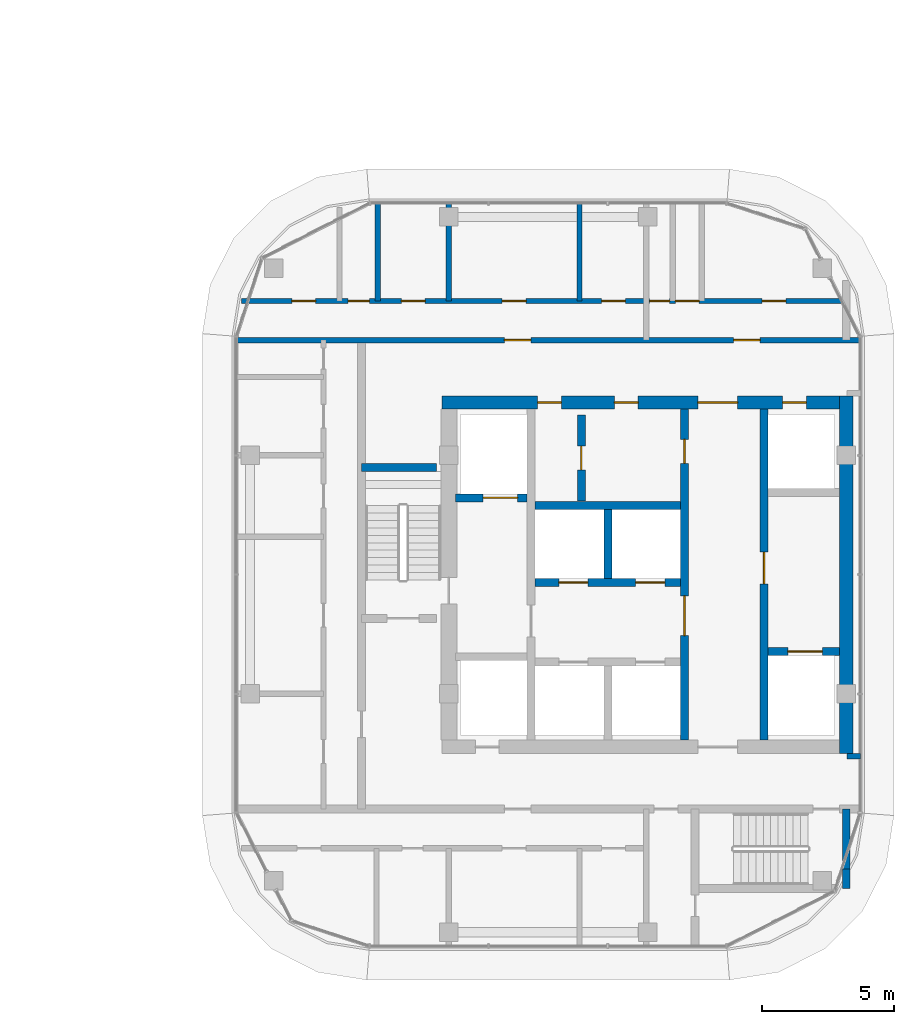
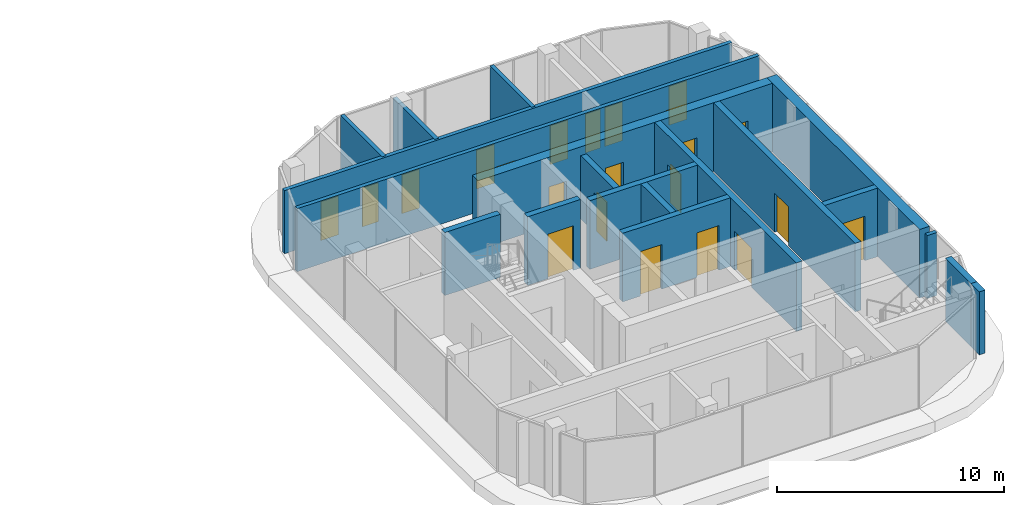
# One storey, part 21 of 33: 22 doors, 19 walls, 22 openings.
"""IFC4 building model written with IfcOpenShell, lengths in metres."""

from ifc_helpers import new_model, si_unit, direction, frame, frame_2d, origin, place, context, subcontext, project, spatial, rectangle, extrude, material, layer, layer_set, type_object, element, fill, save


model = new_model("IFC4")

# Units and contexts
model_context = context("Model", 3, precision=1e-05, world=origin(), true_north=direction((0.0, 1.0)))
body_context = subcontext(model_context, "Body", "Model", "MODEL_VIEW")
ifc_project = project(units=[si_unit("LENGTHUNIT", "METRE"), si_unit("AREAUNIT", "SQUARE_METRE"), si_unit("VOLUMEUNIT", "CUBIC_METRE"), si_unit("PLANEANGLEUNIT", "RADIAN"), si_unit("MASSUNIT", "GRAM", prefix="KILO")], contexts=[model_context])

# Site, building, storey
site_placement = place(None, origin())
site = spatial("IfcSite", under=ifc_project, at=site_placement, CompositionType="ELEMENT")
building_placement = place(site_placement, origin())
building = spatial("IfcBuilding", under=site, at=building_placement, Name="Ogive Portal Towers", CompositionType="ELEMENT")
storey_placement = place(building_placement, frame((0.0, 0.0, 98.199951171875)))
storey = spatial("IfcBuildingStorey", under=building, at=storey_placement, Name="L23", CompositionType="ELEMENT", Elevation=98.199951171875)

# Wall, openings, doors
ifc_material_1 = material(Name="Concrete C60/75", Category="concrete")
ifc_layer_1 = layer(ifc_material_1, 0.300048828125)
ifc_layer_set_1 = layer_set([ifc_layer_1], Name="CORE WALL 300 C60")
wall_type_1 = type_object("IfcWallType", Name="CORE WALL 300 C60", PredefinedType="SHEAR", material=ifc_layer_set_1)
wall_1_placement = place(storey_placement, frame((137.89990234375, 24.75, 0.0), z_axis=(0.0, 0.0, 1.0), x_axis=(0.0, 1.0, 0.0)))
wall_1 = element("IfcWall", 1, at=wall_1_placement, inside=storey, type_object=wall_type_1, Name="Tower B core wall BX2 L23", PredefinedType="SHEAR", context=body_context, shape_type="SweptSolid", body=[
    extrude(rectangle(XDim=12.5, YDim=0.300048828125, at=frame_2d((6.25, 0.0))), origin(), (0.0, 0.0, 1.0), 3.699951171875),
])
opening_1_placement = place(wall_1_placement, frame((3.949951171875, 0.0, 0.0)))
opening_1 = element("IfcOpeningElement", 2, at=opening_1_placement, cuts=wall_1, Name="Opening B09-027", PredefinedType="OPENING", context=body_context, shape_type="SweptSolid", body=[
    extrude(rectangle(XDim=1.5, YDim=2.10009765625, at=frame_2d((0.75, 1.050048828125))), frame((0.0, 0.16015625, 0.0), z_axis=(0.0, -1.0, 0.0), x_axis=(1.0, 0.0, 0.0)), (0.0, 0.0, 1.0), 0.320068359375),
])
opening_2_placement = place(wall_1_placement, frame((10.449951171875, 0.0, 0.0)))
opening_2 = element("IfcOpeningElement", 3, at=opening_2_placement, cuts=wall_1, Name="Opening B09-043", PredefinedType="OPENING", context=body_context, shape_type="SweptSolid", body=[
    extrude(rectangle(XDim=0.89990234375, YDim=2.10009765625, at=frame_2d((0.449951171875, 1.050048828125))), frame((0.0, 0.16015625, 0.0), z_axis=(0.0, -1.0, 0.0), x_axis=(1.0, 0.0, 0.0)), (0.0, 0.0, 1.0), 0.320068359375),
])
ifc_material_2 = material(Name="Steel fire door", Category="steel")
door_type_1 = type_object("IfcDoorType", Name="DT-SWING-1500x2100-FD90S", OperationType="SINGLE_SWING_LEFT", PredefinedType="DOOR", material=ifc_material_2)
door_1_placement = place(opening_1_placement, origin())
door_1 = element("IfcDoor", 4, at=door_1_placement, inside=storey, type_object=door_type_1, Name="Door B09-027", OperationType="SINGLE_SWING_RIGHT", OverallHeight=2.10009765625, OverallWidth=1.5, PredefinedType="DOOR", context=body_context, shape_type="SweptSolid", body=[
    extrude(rectangle(XDim=1.5, YDim=2.10009765625, at=frame_2d((0.75, 1.050048828125))), frame((0.0, 0.02490234375, 0.0), z_axis=(0.0, -1.0, 0.0), x_axis=(1.0, 0.0, 0.0)), (0.0, 0.0, 1.0), 0.050048828125),
])
fill(opening_1, door_1)
door_type_2 = type_object("IfcDoorType", Name="DT-SWING-900x2100-FD90S", OperationType="SINGLE_SWING_LEFT", PredefinedType="DOOR", material=ifc_material_2)
door_2_placement = place(opening_2_placement, origin())
door_2 = element("IfcDoor", 5, at=door_2_placement, inside=storey, type_object=door_type_2, Name="Riser access door B09-043", OperationType="SINGLE_SWING_RIGHT", OverallHeight=2.10009765625, OverallWidth=0.89990234375, PredefinedType="DOOR", context=body_context, shape_type="SweptSolid", body=[
    extrude(rectangle(XDim=0.89990234375, YDim=2.10009765625, at=frame_2d((0.449951171875, 1.050048828125))), frame((0.0, 0.02490234375, 0.0), z_axis=(0.0, -1.0, 0.0), x_axis=(1.0, 0.0, 0.0)), (0.0, 0.0, 1.0), 0.050048828125),
])
fill(opening_2, door_2)

# Wall, opening, door
wall_2_placement = place(storey_placement, frame((140.89990234375, 24.75, 0.0), z_axis=(0.0, 0.0, 1.0), x_axis=(0.0, 1.0, 0.0)))
wall_2 = element("IfcWall", 6, at=wall_2_placement, inside=storey, type_object=wall_type_1, Name="Tower B core wall BX3 L23", PredefinedType="SHEAR", context=body_context, shape_type="SweptSolid", body=[
    extrude(rectangle(XDim=12.5, YDim=0.300048828125, at=frame_2d((6.25, 0.0))), origin(), (0.0, 0.0, 1.0), 3.699951171875),
])
opening_3_placement = place(wall_2_placement, frame((5.89990234375, 0.0, 0.0)))
opening_3 = element("IfcOpeningElement", 7, at=opening_3_placement, cuts=wall_2, Name="Opening B09-029", PredefinedType="OPENING", context=body_context, shape_type="SweptSolid", body=[
    extrude(rectangle(XDim=1.199951171875, YDim=2.10009765625, at=frame_2d((0.60009765625, 1.050048828125))), frame((0.0, 0.16015625, 0.0), z_axis=(0.0, -1.0, 0.0), x_axis=(1.0, 0.0, 0.0)), (0.0, 0.0, 1.0), 0.320068359375),
])
door_type_3 = type_object("IfcDoorType", Name="DT-SWING-1200x2100-FD90S", OperationType="SINGLE_SWING_LEFT", PredefinedType="DOOR", material=ifc_material_2)
door_3_placement = place(opening_3_placement, origin())
door_3 = element("IfcDoor", 8, at=door_3_placement, inside=storey, type_object=door_type_3, Name="Door B09-029", OperationType="SINGLE_SWING_RIGHT", OverallHeight=2.10009765625, OverallWidth=1.199951171875, PredefinedType="DOOR", context=body_context, shape_type="SweptSolid", body=[
    extrude(rectangle(XDim=1.199951171875, YDim=2.10009765625, at=frame_2d((0.60009765625, 1.050048828125))), frame((0.0, 0.02490234375, 0.0), z_axis=(0.0, -1.0, 0.0), x_axis=(1.0, 0.0, 0.0)), (0.0, 0.0, 1.0), 0.050048828125),
])
fill(opening_3, door_3)

# Wall
wall_3_placement = place(storey_placement, frame((135.0, 30.85009765625, 0.0), z_axis=(0.0, 0.0, 1.0), x_axis=(0.0, 1.0, 0.0)))
element("IfcWall", 9, at=wall_3_placement, inside=storey, type_object=wall_type_1, Name="Tower B core wall BX5 L23", PredefinedType="SHEAR", context=body_context, shape_type="SweptSolid", body=[
    extrude(rectangle(XDim=2.599853515625, YDim=0.300048828125, at=frame_2d((1.2998046875, 0.0))), origin(), (0.0, 0.0, 1.0), 3.699951171875),
])

# Wall, openings, doors
wall_4_placement = place(storey_placement, frame((132.25, 30.699951171875, 0.0), z_axis=(0.0, 0.0, 1.0), x_axis=(1.0, 0.0, 0.0)))
wall_4 = element("IfcWall", 10, at=wall_4_placement, inside=storey, type_object=wall_type_1, Name="Tower B core wall BY2 L23", PredefinedType="SHEAR", context=body_context, shape_type="SweptSolid", body=[
    extrude(rectangle(XDim=5.5, YDim=0.300048828125, at=frame_2d((2.75, 0.0))), origin(), (0.0, 0.0, 1.0), 3.699951171875),
])
opening_4_placement = place(wall_4_placement, frame((0.89990234375, 0.0, 0.0)))
opening_4 = element("IfcOpeningElement", 11, at=opening_4_placement, cuts=wall_4, Name="Opening B09-037", PredefinedType="OPENING", context=body_context, shape_type="SweptSolid", body=[
    extrude(rectangle(XDim=1.10009765625, YDim=2.39990234375, at=frame_2d((0.550048828125, 1.199951171875))), frame((0.0, 0.16015625, 0.0), z_axis=(0.0, -1.0, 0.0), x_axis=(1.0, 0.0, 0.0)), (0.0, 0.0, 1.0), 0.320068359375),
])
opening_5_placement = place(wall_4_placement, frame((3.800048828125, 0.0, 0.0)))
opening_5 = element("IfcOpeningElement", 12, at=opening_5_placement, cuts=wall_4, Name="Opening B09-038", PredefinedType="OPENING", context=body_context, shape_type="SweptSolid", body=[
    extrude(rectangle(XDim=1.10009765625, YDim=2.39990234375, at=frame_2d((0.550048828125, 1.199951171875))), frame((0.0, 0.16015625, 0.0), z_axis=(0.0, -1.0, 0.0), x_axis=(1.0, 0.0, 0.0)), (0.0, 0.0, 1.0), 0.320068359375),
])
ifc_material_3 = material(Name="Stainless steel", Category="steel")
door_type_4 = type_object("IfcDoorType", Name="DT-LD-1100x2400", OperationType="SLIDING_TO_LEFT", PredefinedType="DOOR", material=ifc_material_3)
door_4_placement = place(opening_4_placement, origin())
door_4 = element("IfcDoor", 13, at=door_4_placement, inside=storey, type_object=door_type_4, Name="Door B09-037", OperationType="SLIDING_TO_LEFT", OverallHeight=2.39990234375, OverallWidth=1.10009765625, PredefinedType="DOOR", context=body_context, shape_type="SweptSolid", body=[
    extrude(rectangle(XDim=1.10009765625, YDim=2.39990234375, at=frame_2d((0.550048828125, 1.199951171875))), frame((0.0, 0.02490234375, 0.0), z_axis=(0.0, -1.0, 0.0), x_axis=(1.0, 0.0, 0.0)), (0.0, 0.0, 1.0), 0.050048828125),
])
fill(opening_4, door_4)
door_5_placement = place(opening_5_placement, origin())
door_5 = element("IfcDoor", 14, at=door_5_placement, inside=storey, type_object=door_type_4, Name="Door B09-038", OperationType="SLIDING_TO_LEFT", OverallHeight=2.39990234375, OverallWidth=1.10009765625, PredefinedType="DOOR", context=body_context, shape_type="SweptSolid", body=[
    extrude(rectangle(XDim=1.10009765625, YDim=2.39990234375, at=frame_2d((0.550048828125, 1.199951171875))), frame((0.0, 0.02490234375, 0.0), z_axis=(0.0, -1.0, 0.0), x_axis=(1.0, 0.0, 0.0)), (0.0, 0.0, 1.0), 0.050048828125),
])
fill(opening_5, door_5)

# Wall
wall_5_placement = place(storey_placement, frame((132.25, 33.60009765625, 0.0), z_axis=(0.0, 0.0, 1.0), x_axis=(1.0, 0.0, 0.0)))
element("IfcWall", 15, at=wall_5_placement, inside=storey, type_object=wall_type_1, Name="Tower B core wall BY3 L23", PredefinedType="SHEAR", context=body_context, shape_type="SweptSolid", body=[
    extrude(rectangle(XDim=5.5, YDim=0.300048828125, at=frame_2d((2.75, 0.0))), origin(), (0.0, 0.0, 1.0), 3.699951171875),
])

# Wall, opening, door
wall_6_placement = place(storey_placement, frame((129.25, 33.89990234375, 0.0), z_axis=(0.0, 0.0, 1.0), x_axis=(1.0, 0.0, 0.0)))
wall_6 = element("IfcWall", 16, at=wall_6_placement, inside=storey, type_object=wall_type_1, Name="Tower B core wall BY5 L23", PredefinedType="SHEAR", context=body_context, shape_type="SweptSolid", body=[
    extrude(rectangle(XDim=2.699951171875, YDim=0.300048828125, at=frame_2d((1.35009765625, 0.0))), origin(), (0.0, 0.0, 1.0), 3.699951171875),
])
opening_6_placement = place(wall_6_placement, frame((1.050048828125, 0.0, 0.0)))
opening_6 = element("IfcOpeningElement", 17, at=opening_6_placement, cuts=wall_6, Name="Opening B09-039", PredefinedType="OPENING", context=body_context, shape_type="SweptSolid", body=[
    extrude(rectangle(XDim=1.300048828125, YDim=2.39990234375, at=frame_2d((0.64990234375, 1.199951171875))), frame((0.0, 0.16015625, 0.0), z_axis=(0.0, -1.0, 0.0), x_axis=(1.0, 0.0, 0.0)), (0.0, 0.0, 1.0), 0.320068359375),
])
door_type_5 = type_object("IfcDoorType", Name="DT-LD-1300x2400", OperationType="SLIDING_TO_LEFT", PredefinedType="DOOR", material=ifc_material_3)
door_6_placement = place(opening_6_placement, origin())
door_6 = element("IfcDoor", 18, at=door_6_placement, inside=storey, type_object=door_type_5, Name="Door B09-039", OperationType="SLIDING_TO_LEFT", OverallHeight=2.39990234375, OverallWidth=1.300048828125, PredefinedType="DOOR", context=body_context, shape_type="SweptSolid", body=[
    extrude(rectangle(XDim=1.300048828125, YDim=2.39990234375, at=frame_2d((0.64990234375, 1.199951171875))), frame((0.0, 0.02490234375, 0.0), z_axis=(0.0, -1.0, 0.0), x_axis=(1.0, 0.0, 0.0)), (0.0, 0.0, 1.0), 0.050048828125),
])
fill(opening_6, door_6)

wall_7_placement = place(storey_placement, frame((141.050048828125, 28.10009765625, 0.0), z_axis=(0.0, 0.0, 1.0), x_axis=(1.0, 0.0, 0.0)))
wall_7 = element("IfcWall", 19, at=wall_7_placement, inside=storey, type_object=wall_type_1, Name="Tower B core wall BY6 L23", PredefinedType="SHEAR", context=body_context, shape_type="SweptSolid", body=[
    extrude(rectangle(XDim=2.699951171875, YDim=0.300048828125, at=frame_2d((1.35009765625, 0.0))), origin(), (0.0, 0.0, 1.0), 3.699951171875),
])
opening_7_placement = place(wall_7_placement, frame((0.75, 0.0, 0.0)))
opening_7 = element("IfcOpeningElement", 20, at=opening_7_placement, cuts=wall_7, Name="Opening B09-040", PredefinedType="OPENING", context=body_context, shape_type="SweptSolid", body=[
    extrude(rectangle(XDim=1.300048828125, YDim=2.39990234375, at=frame_2d((0.64990234375, 1.199951171875))), frame((0.0, 0.16015625, 0.0), z_axis=(0.0, -1.0, 0.0), x_axis=(1.0, 0.0, 0.0)), (0.0, 0.0, 1.0), 0.320068359375),
])
door_7_placement = place(opening_7_placement, origin())
door_7 = element("IfcDoor", 21, at=door_7_placement, inside=storey, type_object=door_type_5, Name="Door B09-040", OperationType="SLIDING_TO_LEFT", OverallHeight=2.39990234375, OverallWidth=1.300048828125, PredefinedType="DOOR", context=body_context, shape_type="SweptSolid", body=[
    extrude(rectangle(XDim=1.300048828125, YDim=2.39990234375, at=frame_2d((0.64990234375, 1.199951171875))), frame((0.0, 0.02490234375, 0.0), z_axis=(0.0, -1.0, 0.0), x_axis=(1.0, 0.0, 0.0)), (0.0, 0.0, 1.0), 0.050048828125),
])
fill(opening_7, door_7)

# Wall
ifc_layer_2 = layer(ifc_material_1, 0.5)
ifc_layer_set_2 = layer_set([ifc_layer_2], Name="CORE WALL 500 C60")
wall_type_2 = type_object("IfcWallType", Name="CORE WALL 500 C60", PredefinedType="SHEAR", material=ifc_layer_set_2)
wall_8_placement = place(storey_placement, frame((144.0, 24.25, 0.0), z_axis=(0.0, 0.0, 1.0), x_axis=(0.0, 1.0, 0.0)))
element("IfcWall", 22, at=wall_8_placement, inside=storey, type_object=wall_type_2, Name="Tower B core wall BE L23", PredefinedType="SHEAR", context=body_context, shape_type="SweptSolid", body=[
    extrude(rectangle(XDim=13.5, YDim=0.5, at=frame_2d((6.75, 0.0))), origin(), (0.0, 0.0, 1.0), 3.699951171875),
])

# Wall, openings, doors
wall_9_placement = place(storey_placement, frame((128.75, 37.5, 0.0), z_axis=(0.0, 0.0, 1.0), x_axis=(1.0, 0.0, 0.0)))
wall_9 = element("IfcWall", 23, at=wall_9_placement, inside=storey, type_object=wall_type_2, Name="Tower B core wall BN L23", PredefinedType="SHEAR", context=body_context, shape_type="SweptSolid", body=[
    extrude(rectangle(XDim=15.0, YDim=0.5, at=frame_2d((7.5, 0.0))), origin(), (0.0, 0.0, 1.0), 3.699951171875),
])
opening_8_placement = place(wall_9_placement, frame((9.64990234375, 0.0, 0.0)))
opening_8 = element("IfcOpeningElement", 24, at=opening_8_placement, cuts=wall_9, Name="Opening B09-032", PredefinedType="OPENING", context=body_context, shape_type="SweptSolid", body=[
    extrude(rectangle(XDim=1.5, YDim=2.10009765625, at=frame_2d((0.75, 1.050048828125))), frame((0.0, 0.260009765625, 0.0), z_axis=(0.0, -1.0, 0.0), x_axis=(1.0, 0.0, 0.0)), (0.0, 0.0, 1.0), 0.52001953125),
])
opening_9_placement = place(wall_9_placement, frame((12.85009765625, 0.0, 0.0)))
opening_9 = element("IfcOpeningElement", 25, at=opening_9_placement, cuts=wall_9, Name="Opening B09-034", PredefinedType="OPENING", context=body_context, shape_type="SweptSolid", body=[
    extrude(rectangle(XDim=0.89990234375, YDim=2.10009765625, at=frame_2d((0.449951171875, 1.050048828125))), frame((0.0, 0.260009765625, 0.0), z_axis=(0.0, -1.0, 0.0), x_axis=(1.0, 0.0, 0.0)), (0.0, 0.0, 1.0), 0.52001953125),
])
opening_10_placement = place(wall_9_placement, frame((3.60009765625, 0.0, 0.0)))
opening_10 = element("IfcOpeningElement", 26, at=opening_10_placement, cuts=wall_9, Name="Opening B09-041", PredefinedType="OPENING", context=body_context, shape_type="SweptSolid", body=[
    extrude(rectangle(XDim=0.89990234375, YDim=2.10009765625, at=frame_2d((0.449951171875, 1.050048828125))), frame((0.0, 0.260009765625, 0.0), z_axis=(0.0, -1.0, 0.0), x_axis=(1.0, 0.0, 0.0)), (0.0, 0.0, 1.0), 0.52001953125),
])
opening_11_placement = place(wall_9_placement, frame((6.5, 0.0, 0.0)))
opening_11 = element("IfcOpeningElement", 27, at=opening_11_placement, cuts=wall_9, Name="Opening B09-042", PredefinedType="OPENING", context=body_context, shape_type="SweptSolid", body=[
    extrude(rectangle(XDim=0.89990234375, YDim=2.10009765625, at=frame_2d((0.449951171875, 1.050048828125))), frame((0.0, 0.260009765625, 0.0), z_axis=(0.0, -1.0, 0.0), x_axis=(1.0, 0.0, 0.0)), (0.0, 0.0, 1.0), 0.52001953125),
])
door_8_placement = place(opening_8_placement, origin())
door_8 = element("IfcDoor", 28, at=door_8_placement, inside=storey, type_object=door_type_1, Name="Door B09-032", OperationType="SINGLE_SWING_RIGHT", OverallHeight=2.10009765625, OverallWidth=1.5, PredefinedType="DOOR", context=body_context, shape_type="SweptSolid", body=[
    extrude(rectangle(XDim=1.5, YDim=2.10009765625, at=frame_2d((0.75, 1.050048828125))), frame((0.0, 0.02490234375, 0.0), z_axis=(0.0, -1.0, 0.0), x_axis=(1.0, 0.0, 0.0)), (0.0, 0.0, 1.0), 0.050048828125),
])
fill(opening_8, door_8)
door_9_placement = place(opening_9_placement, origin())
door_9 = element("IfcDoor", 29, at=door_9_placement, inside=storey, type_object=door_type_2, Name="Riser access door B09-034", OperationType="SINGLE_SWING_RIGHT", OverallHeight=2.10009765625, OverallWidth=0.89990234375, PredefinedType="DOOR", context=body_context, shape_type="SweptSolid", body=[
    extrude(rectangle(XDim=0.89990234375, YDim=2.10009765625, at=frame_2d((0.449951171875, 1.050048828125))), frame((0.0, 0.02490234375, 0.0), z_axis=(0.0, -1.0, 0.0), x_axis=(1.0, 0.0, 0.0)), (0.0, 0.0, 1.0), 0.050048828125),
])
fill(opening_9, door_9)
door_10_placement = place(opening_10_placement, origin())
door_10 = element("IfcDoor", 30, at=door_10_placement, inside=storey, type_object=door_type_2, Name="Door B09-041", OperationType="SINGLE_SWING_LEFT", OverallHeight=2.10009765625, OverallWidth=0.89990234375, PredefinedType="DOOR", context=body_context, shape_type="SweptSolid", body=[
    extrude(rectangle(XDim=0.89990234375, YDim=2.10009765625, at=frame_2d((0.449951171875, 1.050048828125))), frame((0.0, 0.02490234375, 0.0), z_axis=(0.0, -1.0, 0.0), x_axis=(1.0, 0.0, 0.0)), (0.0, 0.0, 1.0), 0.050048828125),
])
fill(opening_10, door_10)
door_11_placement = place(opening_11_placement, origin())
door_11 = element("IfcDoor", 31, at=door_11_placement, inside=storey, type_object=door_type_2, Name="Riser access door B09-042", OperationType="SINGLE_SWING_RIGHT", OverallHeight=2.10009765625, OverallWidth=0.89990234375, PredefinedType="DOOR", context=body_context, shape_type="SweptSolid", body=[
    extrude(rectangle(XDim=0.89990234375, YDim=2.10009765625, at=frame_2d((0.449951171875, 1.050048828125))), frame((0.0, 0.02490234375, 0.0), z_axis=(0.0, -1.0, 0.0), x_axis=(1.0, 0.0, 0.0)), (0.0, 0.0, 1.0), 0.050048828125),
])
fill(opening_11, door_11)

# Walls
ifc_material_4 = material(Name="Concrete C50/60", Category="concrete")
ifc_layer_3 = layer(ifc_material_4, 0.300048828125)
ifc_layer_set_3 = layer_set([ifc_layer_3], Name="STAIR WALL 300 C50")
wall_type_3 = type_object("IfcWallType", Name="STAIR WALL 300 C50", PredefinedType="SHEAR", material=ifc_layer_set_3)
wall_10_placement = place(storey_placement, frame((125.699951171875, 35.050048828125, 0.0), z_axis=(0.0, 0.0, 1.0), x_axis=(1.0, 0.0, 0.0)))
element("IfcWall", 32, at=wall_10_placement, inside=storey, type_object=wall_type_3, Name="Stair wall ST-B1 L23", PredefinedType="SHEAR", context=body_context, shape_type="SweptSolid", body=[
    extrude(rectangle(XDim=2.830078125, YDim=0.300048828125, at=frame_2d((1.4150390625, 0.0))), origin(), (0.0, 0.0, 1.0), 3.400146484375),
])
wall_11_placement = place(storey_placement, frame((144.0, 19.14990234375, 0.0), z_axis=(0.0, 0.0, 1.0), x_axis=(0.0, 1.0, 0.0)))
element("IfcWall", 33, at=wall_11_placement, inside=storey, type_object=wall_type_3, Name="Stair wall ST-B2 L23", PredefinedType="SHEAR", context=body_context, shape_type="SweptSolid", body=[
    extrude(rectangle(XDim=0.7412109375, YDim=0.300048828125, at=frame_2d((0.37060546875, 0.0))), origin(), (0.0, 0.0, 1.0), 3.400146484375),
])
wall_12_placement = place(storey_placement, frame((144.0, 19.89111328125, 0.0), z_axis=(0.0, 0.0, 1.0), x_axis=(0.0, 1.0, 0.0)))
element("IfcWall", 34, at=wall_12_placement, inside=storey, type_object=wall_type_3, Name="Stair wall ST-B2 L23", PredefinedType="SHEAR", context=body_context, shape_type="SweptSolid", body=[
    extrude(rectangle(XDim=2.2587890625, YDim=0.300048828125, at=frame_2d((1.12939453125, 0.0))), origin(), (0.0, 0.0, 1.0), 3.400146484375),
])
ifc_material_5 = material(Name="Gypsum board partition on steel studs", Category="steel")
ifc_layer_4 = layer(ifc_material_5, 0.199951171875)
ifc_layer_set_4 = layer_set([ifc_layer_4], Name="WT-PART-200-EI 60")
wall_type_4 = type_object("IfcWallType", Name="WT-PART-200-EI 60", PredefinedType="PARTITIONING", material=ifc_layer_set_4)
wall_13_placement = place(storey_placement, frame((144.02001953125, 24.14990234375, 0.0), z_axis=(0.0, 0.0, 1.0), x_axis=(1.0, 0.0, 0.0)))
element("IfcWall", 35, at=wall_13_placement, inside=storey, type_object=wall_type_4, Name="Wall L23:w005", PredefinedType="PARTITIONING", context=body_context, shape_type="SweptSolid", body=[
    extrude(rectangle(XDim=0.510009765625, YDim=0.199951171875, at=frame_2d((0.2548828125, 0.0))), origin(), (0.0, 0.0, 1.0), 3.400146484375),
])

# Wall, openings, doors
wall_14_placement = place(storey_placement, frame((120.969970703125, 39.85009765625, 0.0), z_axis=(0.0, 0.0, 1.0), x_axis=(1.0, 0.0, 0.0)))
wall_14 = element("IfcWall", 36, at=wall_14_placement, inside=storey, type_object=wall_type_4, Name="Wall L23:w014", PredefinedType="PARTITIONING", context=body_context, shape_type="SweptSolid", body=[
    extrude(rectangle(XDim=23.56005859375, YDim=0.199951171875, at=frame_2d((11.780029296875, 0.0))), origin(), (0.0, 0.0, 1.0), 3.400146484375),
])
opening_12_placement = place(wall_14_placement, frame((10.1298828125, 0.0, 0.0)))
opening_12 = element("IfcOpeningElement", 37, at=opening_12_placement, cuts=wall_14, Name="Opening B09-004", PredefinedType="OPENING", context=body_context, shape_type="SweptSolid", body=[
    extrude(rectangle(XDim=1.0, YDim=2.10009765625, at=frame_2d((0.5, 1.050048828125))), frame((0.0, 0.10986328125, 0.0), z_axis=(0.0, -1.0, 0.0), x_axis=(1.0, 0.0, 0.0)), (0.0, 0.0, 1.0), 0.219970703125),
])
opening_13_placement = place(wall_14_placement, frame((18.780029296875, 0.0, 0.0)))
opening_13 = element("IfcOpeningElement", 38, at=opening_13_placement, cuts=wall_14, Name="Opening B09-010", PredefinedType="OPENING", context=body_context, shape_type="SweptSolid", body=[
    extrude(rectangle(XDim=1.0, YDim=2.10009765625, at=frame_2d((0.5, 1.050048828125))), frame((0.0, 0.10986328125, 0.0), z_axis=(0.0, -1.0, 0.0), x_axis=(1.0, 0.0, 0.0)), (0.0, 0.0, 1.0), 0.219970703125),
])
door_type_6 = type_object("IfcDoorType", Name="DT-SWING-1000x2100-FD60S", OperationType="SINGLE_SWING_LEFT", PredefinedType="DOOR", material=ifc_material_2)
door_12_placement = place(opening_12_placement, origin())
door_12 = element("IfcDoor", 39, at=door_12_placement, inside=storey, type_object=door_type_6, Name="Door B09-004", OperationType="SINGLE_SWING_RIGHT", OverallHeight=2.10009765625, OverallWidth=1.0, PredefinedType="DOOR", context=body_context, shape_type="SweptSolid", body=[
    extrude(rectangle(XDim=1.0, YDim=2.10009765625, at=frame_2d((0.5, 1.050048828125))), frame((0.0, 0.02490234375, 0.0), z_axis=(0.0, -1.0, 0.0), x_axis=(1.0, 0.0, 0.0)), (0.0, 0.0, 1.0), 0.050048828125),
])
fill(opening_12, door_12)
door_13_placement = place(opening_13_placement, origin())
door_13 = element("IfcDoor", 40, at=door_13_placement, inside=storey, type_object=door_type_6, Name="Door B09-010", OperationType="SINGLE_SWING_RIGHT", OverallHeight=2.10009765625, OverallWidth=1.0, PredefinedType="DOOR", context=body_context, shape_type="SweptSolid", body=[
    extrude(rectangle(XDim=1.0, YDim=2.10009765625, at=frame_2d((0.5, 1.050048828125))), frame((0.0, 0.02490234375, 0.0), z_axis=(0.0, -1.0, 0.0), x_axis=(1.0, 0.0, 0.0)), (0.0, 0.0, 1.0), 0.050048828125),
])
fill(opening_13, door_13)

wall_15_placement = place(storey_placement, frame((121.181884765625, 41.330078125, 0.0), z_axis=(0.0, 0.0, 1.0), x_axis=(1.0, 0.0, 0.0)))
wall_15 = element("IfcWall", 41, at=wall_15_placement, inside=storey, type_object=wall_type_4, Name="Wall L23:w015", PredefinedType="PARTITIONING", context=body_context, shape_type="SweptSolid", body=[
    extrude(rectangle(XDim=22.818115234375, YDim=0.199951171875, at=frame_2d((11.4091796875, 0.0))), origin(), (0.0, 0.0, 1.0), 3.400146484375),
])
opening_14_placement = place(wall_15_placement, frame((1.89599609375, 0.0, 0.0)))
opening_14 = element("IfcOpeningElement", 42, at=opening_14_placement, cuts=wall_15, Name="Opening B09-005", PredefinedType="OPENING", context=body_context, shape_type="SweptSolid", body=[
    extrude(rectangle(XDim=0.89990234375, YDim=2.10009765625, at=frame_2d((0.449951171875, 1.050048828125))), frame((0.0, 0.10986328125, 0.0), z_axis=(0.0, -1.0, 0.0), x_axis=(1.0, 0.0, 0.0)), (0.0, 0.0, 1.0), 0.219970703125),
])
opening_15_placement = place(wall_15_placement, frame((4.01611328125, 0.0, 0.0)))
opening_15 = element("IfcOpeningElement", 43, at=opening_15_placement, cuts=wall_15, Name="Opening B09-006", PredefinedType="OPENING", context=body_context, shape_type="SweptSolid", body=[
    extrude(rectangle(XDim=0.800048828125, YDim=2.10009765625, at=frame_2d((0.39990234375, 1.050048828125))), frame((0.0, 0.10986328125, 0.0), z_axis=(0.0, -1.0, 0.0), x_axis=(1.0, 0.0, 0.0)), (0.0, 0.0, 1.0), 0.219970703125),
])
opening_16_placement = place(wall_15_placement, frame((6.027099609375, 0.0, 0.0)))
opening_16 = element("IfcOpeningElement", 44, at=opening_16_placement, cuts=wall_15, Name="Opening B09-007", PredefinedType="OPENING", context=body_context, shape_type="SweptSolid", body=[
    extrude(rectangle(XDim=0.89990234375, YDim=2.10009765625, at=frame_2d((0.449951171875, 1.050048828125))), frame((0.0, 0.10986328125, 0.0), z_axis=(0.0, -1.0, 0.0), x_axis=(1.0, 0.0, 0.0)), (0.0, 0.0, 1.0), 0.219970703125),
])
opening_17_placement = place(wall_15_placement, frame((9.8349609375, 0.0, 0.0)))
opening_17 = element("IfcOpeningElement", 45, at=opening_17_placement, cuts=wall_15, Name="Opening B09-008", PredefinedType="OPENING", context=body_context, shape_type="SweptSolid", body=[
    extrude(rectangle(XDim=0.89990234375, YDim=2.10009765625, at=frame_2d((0.449951171875, 1.050048828125))), frame((0.0, 0.10986328125, 0.0), z_axis=(0.0, -1.0, 0.0), x_axis=(1.0, 0.0, 0.0)), (0.0, 0.0, 1.0), 0.219970703125),
])
opening_18_placement = place(wall_15_placement, frame((13.5849609375, 0.0, 0.0)))
opening_18 = element("IfcOpeningElement", 46, at=opening_18_placement, cuts=wall_15, Name="Opening B09-009", PredefinedType="OPENING", context=body_context, shape_type="SweptSolid", body=[
    extrude(rectangle(XDim=0.89990234375, YDim=2.10009765625, at=frame_2d((0.449951171875, 1.050048828125))), frame((0.0, 0.10986328125, 0.0), z_axis=(0.0, -1.0, 0.0), x_axis=(1.0, 0.0, 0.0)), (0.0, 0.0, 1.0), 0.219970703125),
])
opening_19_placement = place(wall_15_placement, frame((15.39306640625, 0.0, 0.0)))
opening_19 = element("IfcOpeningElement", 47, at=opening_19_placement, cuts=wall_15, Name="Opening B09-011", PredefinedType="OPENING", context=body_context, shape_type="SweptSolid", body=[
    extrude(rectangle(XDim=0.7548828125, YDim=2.10009765625, at=frame_2d((0.37744140625, 1.050048828125))), frame((0.0, 0.10986328125, 0.0), z_axis=(0.0, -1.0, 0.0), x_axis=(1.0, 0.0, 0.0)), (0.0, 0.0, 1.0), 0.219970703125),
])
opening_20_placement = place(wall_15_placement, frame((16.367919921875, 0.0, 0.0)))
opening_20 = element("IfcOpeningElement", 48, at=opening_20_placement, cuts=wall_15, Name="Opening B09-012", PredefinedType="OPENING", context=body_context, shape_type="SweptSolid", body=[
    extrude(rectangle(XDim=0.89990234375, YDim=2.10009765625, at=frame_2d((0.449951171875, 1.050048828125))), frame((0.0, 0.10986328125, 0.0), z_axis=(0.0, -1.0, 0.0), x_axis=(1.0, 0.0, 0.0)), (0.0, 0.0, 1.0), 0.219970703125),
])
opening_21_placement = place(wall_15_placement, frame((19.64306640625, 0.0, 0.0)))
opening_21 = element("IfcOpeningElement", 49, at=opening_21_placement, cuts=wall_15, Name="Opening B09-013", PredefinedType="OPENING", context=body_context, shape_type="SweptSolid", body=[
    extrude(rectangle(XDim=0.89990234375, YDim=2.10009765625, at=frame_2d((0.449951171875, 1.050048828125))), frame((0.0, 0.10986328125, 0.0), z_axis=(0.0, -1.0, 0.0), x_axis=(1.0, 0.0, 0.0)), (0.0, 0.0, 1.0), 0.219970703125),
])
door_type_7 = type_object("IfcDoorType", Name="DT-SWING-755x2100-FD60S", OperationType="SINGLE_SWING_LEFT", PredefinedType="DOOR", material=ifc_material_2)
door_14_placement = place(opening_19_placement, origin())
door_14 = element("IfcDoor", 50, at=door_14_placement, inside=storey, type_object=door_type_7, Name="Door B09-011", OperationType="SINGLE_SWING_LEFT", OverallHeight=2.10009765625, OverallWidth=0.7548828125, PredefinedType="DOOR", context=body_context, shape_type="SweptSolid", body=[
    extrude(rectangle(XDim=0.7548828125, YDim=2.10009765625, at=frame_2d((0.37744140625, 1.050048828125))), frame((0.0, 0.02490234375, 0.0), z_axis=(0.0, -1.0, 0.0), x_axis=(1.0, 0.0, 0.0)), (0.0, 0.0, 1.0), 0.050048828125),
])
fill(opening_19, door_14)
door_type_8 = type_object("IfcDoorType", Name="DT-SWING-800x2100-FD60S", OperationType="SINGLE_SWING_LEFT", PredefinedType="DOOR", material=ifc_material_2)
door_15_placement = place(opening_15_placement, origin())
door_15 = element("IfcDoor", 51, at=door_15_placement, inside=storey, type_object=door_type_8, Name="Door B09-006", OperationType="SINGLE_SWING_RIGHT", OverallHeight=2.10009765625, OverallWidth=0.800048828125, PredefinedType="DOOR", context=body_context, shape_type="SweptSolid", body=[
    extrude(rectangle(XDim=0.800048828125, YDim=2.10009765625, at=frame_2d((0.39990234375, 1.050048828125))), frame((0.0, 0.02490234375, 0.0), z_axis=(0.0, -1.0, 0.0), x_axis=(1.0, 0.0, 0.0)), (0.0, 0.0, 1.0), 0.050048828125),
])
fill(opening_15, door_15)
door_type_9 = type_object("IfcDoorType", Name="DT-SWING-900x2100-FD60S", OperationType="SINGLE_SWING_LEFT", PredefinedType="DOOR", material=ifc_material_2)
door_16_placement = place(opening_14_placement, origin())
door_16 = element("IfcDoor", 52, at=door_16_placement, inside=storey, type_object=door_type_9, Name="Door B09-005", OperationType="SINGLE_SWING_LEFT", OverallHeight=2.10009765625, OverallWidth=0.89990234375, PredefinedType="DOOR", context=body_context, shape_type="SweptSolid", body=[
    extrude(rectangle(XDim=0.89990234375, YDim=2.10009765625, at=frame_2d((0.449951171875, 1.050048828125))), frame((0.0, 0.02490234375, 0.0), z_axis=(0.0, -1.0, 0.0), x_axis=(1.0, 0.0, 0.0)), (0.0, 0.0, 1.0), 0.050048828125),
])
fill(opening_14, door_16)
door_17_placement = place(opening_16_placement, origin())
door_17 = element("IfcDoor", 53, at=door_17_placement, inside=storey, type_object=door_type_9, Name="Door B09-007", OperationType="SINGLE_SWING_LEFT", OverallHeight=2.10009765625, OverallWidth=0.89990234375, PredefinedType="DOOR", context=body_context, shape_type="SweptSolid", body=[
    extrude(rectangle(XDim=0.89990234375, YDim=2.10009765625, at=frame_2d((0.449951171875, 1.050048828125))), frame((0.0, 0.02490234375, 0.0), z_axis=(0.0, -1.0, 0.0), x_axis=(1.0, 0.0, 0.0)), (0.0, 0.0, 1.0), 0.050048828125),
])
fill(opening_16, door_17)
door_18_placement = place(opening_17_placement, origin())
door_18 = element("IfcDoor", 54, at=door_18_placement, inside=storey, type_object=door_type_9, Name="Door B09-008", OperationType="SINGLE_SWING_RIGHT", OverallHeight=2.10009765625, OverallWidth=0.89990234375, PredefinedType="DOOR", context=body_context, shape_type="SweptSolid", body=[
    extrude(rectangle(XDim=0.89990234375, YDim=2.10009765625, at=frame_2d((0.449951171875, 1.050048828125))), frame((0.0, 0.02490234375, 0.0), z_axis=(0.0, -1.0, 0.0), x_axis=(1.0, 0.0, 0.0)), (0.0, 0.0, 1.0), 0.050048828125),
])
fill(opening_17, door_18)
door_19_placement = place(opening_18_placement, origin())
door_19 = element("IfcDoor", 55, at=door_19_placement, inside=storey, type_object=door_type_9, Name="Door B09-009", OperationType="SINGLE_SWING_LEFT", OverallHeight=2.10009765625, OverallWidth=0.89990234375, PredefinedType="DOOR", context=body_context, shape_type="SweptSolid", body=[
    extrude(rectangle(XDim=0.89990234375, YDim=2.10009765625, at=frame_2d((0.449951171875, 1.050048828125))), frame((0.0, 0.02490234375, 0.0), z_axis=(0.0, -1.0, 0.0), x_axis=(1.0, 0.0, 0.0)), (0.0, 0.0, 1.0), 0.050048828125),
])
fill(opening_18, door_19)
door_20_placement = place(opening_20_placement, origin())
door_20 = element("IfcDoor", 56, at=door_20_placement, inside=storey, type_object=door_type_9, Name="Door B09-012", OperationType="SINGLE_SWING_RIGHT", OverallHeight=2.10009765625, OverallWidth=0.89990234375, PredefinedType="DOOR", context=body_context, shape_type="SweptSolid", body=[
    extrude(rectangle(XDim=0.89990234375, YDim=2.10009765625, at=frame_2d((0.449951171875, 1.050048828125))), frame((0.0, 0.02490234375, 0.0), z_axis=(0.0, -1.0, 0.0), x_axis=(1.0, 0.0, 0.0)), (0.0, 0.0, 1.0), 0.050048828125),
])
fill(opening_20, door_20)
door_21_placement = place(opening_21_placement, origin())
door_21 = element("IfcDoor", 57, at=door_21_placement, inside=storey, type_object=door_type_9, Name="Door B09-013", OperationType="SINGLE_SWING_LEFT", OverallHeight=2.10009765625, OverallWidth=0.89990234375, PredefinedType="DOOR", context=body_context, shape_type="SweptSolid", body=[
    extrude(rectangle(XDim=0.89990234375, YDim=2.10009765625, at=frame_2d((0.449951171875, 1.050048828125))), frame((0.0, 0.02490234375, 0.0), z_axis=(0.0, -1.0, 0.0), x_axis=(1.0, 0.0, 0.0)), (0.0, 0.0, 1.0), 0.050048828125),
])
fill(opening_21, door_21)

# Walls
for number, where, z_axis, x_axis, name in (
    (58, (126.318115234375, 41.330078125, 0.0), (0.0, 0.0, 1.0), (0.0, 1.0, 0.0), "Wall L23:w020"),
    (59, (129.0, 41.330078125, 0.0), (0.0, 0.0, 1.0), (0.0, 1.0, 0.0), "Wall L23:w024"),
    (60, (133.93310546875, 41.330078125, 0.0), (0.0, 0.0, 1.0), (0.0, 1.0, 0.0), "Wall L23:w026"),
):
    element("IfcWall", number, at=place(storey_placement, frame(where, z_axis=z_axis, x_axis=x_axis)), inside=storey, type_object=wall_type_4, Name=name, PredefinedType="PARTITIONING", context=body_context, shape_type="SweptSolid", body=[
        extrude(rectangle(XDim=3.699951171875, YDim=0.199951171875, at=frame_2d((1.85009765625, 0.0))), origin(), (0.0, 0.0, 1.0), 3.400146484375),
    ])

# Wall, opening, door
ifc_layer_5 = layer(ifc_material_5, 0.300048828125)
ifc_layer_set_5 = layer_set([ifc_layer_5], Name="WT-PART-300-EI 60")
wall_type_5 = type_object("IfcWallType", Name="WT-PART-300-EI 60", PredefinedType="PARTITIONING", material=ifc_layer_set_5)
wall_16_placement = place(storey_placement, frame((134.0, 33.77001953125, 0.0), z_axis=(0.0, 0.0, 1.0), x_axis=(0.0, 1.0, 0.0)))
wall_16 = element("IfcWall", 61, at=wall_16_placement, inside=storey, type_object=wall_type_5, Name="Wall L23:w027", PredefinedType="PARTITIONING", context=body_context, shape_type="SweptSolid", body=[
    extrude(rectangle(XDim=3.260009765625, YDim=0.300048828125, at=frame_2d((1.6298828125, 0.0))), origin(), (0.0, 0.0, 1.0), 3.400146484375),
])
opening_22_placement = place(wall_16_placement, frame((1.179931640625, 0.0, 0.0)))
opening_22 = element("IfcOpeningElement", 62, at=opening_22_placement, cuts=wall_16, Name="Opening B09-003", PredefinedType="OPENING", context=body_context, shape_type="SweptSolid", body=[
    extrude(rectangle(XDim=0.89990234375, YDim=2.10009765625, at=frame_2d((0.449951171875, 1.050048828125))), frame((0.0, 0.16015625, 0.0), z_axis=(0.0, -1.0, 0.0), x_axis=(1.0, 0.0, 0.0)), (0.0, 0.0, 1.0), 0.320068359375),
])
door_22_placement = place(opening_22_placement, origin())
door_22 = element("IfcDoor", 63, at=door_22_placement, inside=storey, type_object=door_type_9, Name="Riser access door B09-003", OperationType="SINGLE_SWING_LEFT", OverallHeight=2.10009765625, OverallWidth=0.89990234375, PredefinedType="DOOR", context=body_context, shape_type="SweptSolid", body=[
    extrude(rectangle(XDim=0.89990234375, YDim=2.10009765625, at=frame_2d((0.449951171875, 1.050048828125))), frame((0.0, 0.02490234375, 0.0), z_axis=(0.0, -1.0, 0.0), x_axis=(1.0, 0.0, 0.0)), (0.0, 0.0, 1.0), 0.050048828125),
])
fill(opening_22, door_22)

save(model, "model.ifc")
